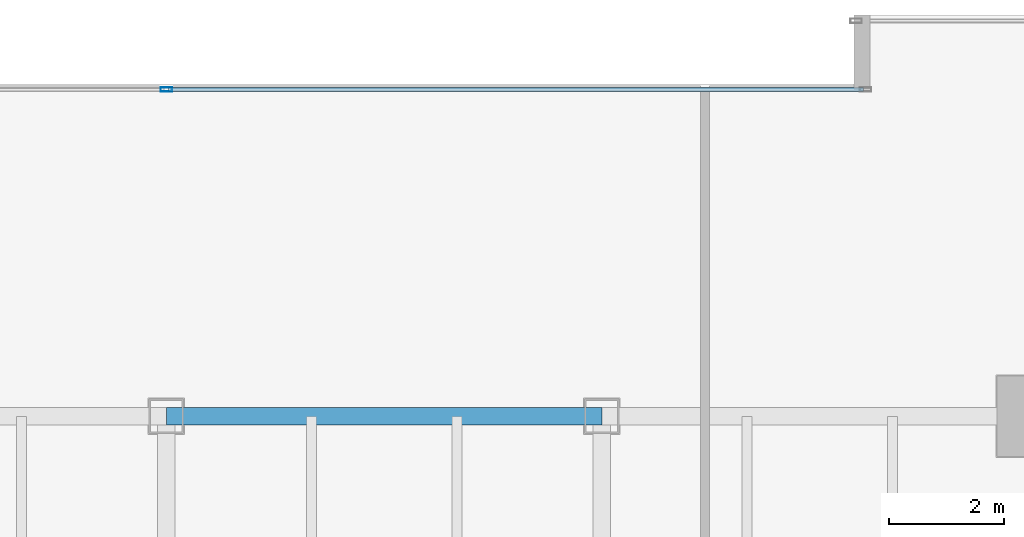
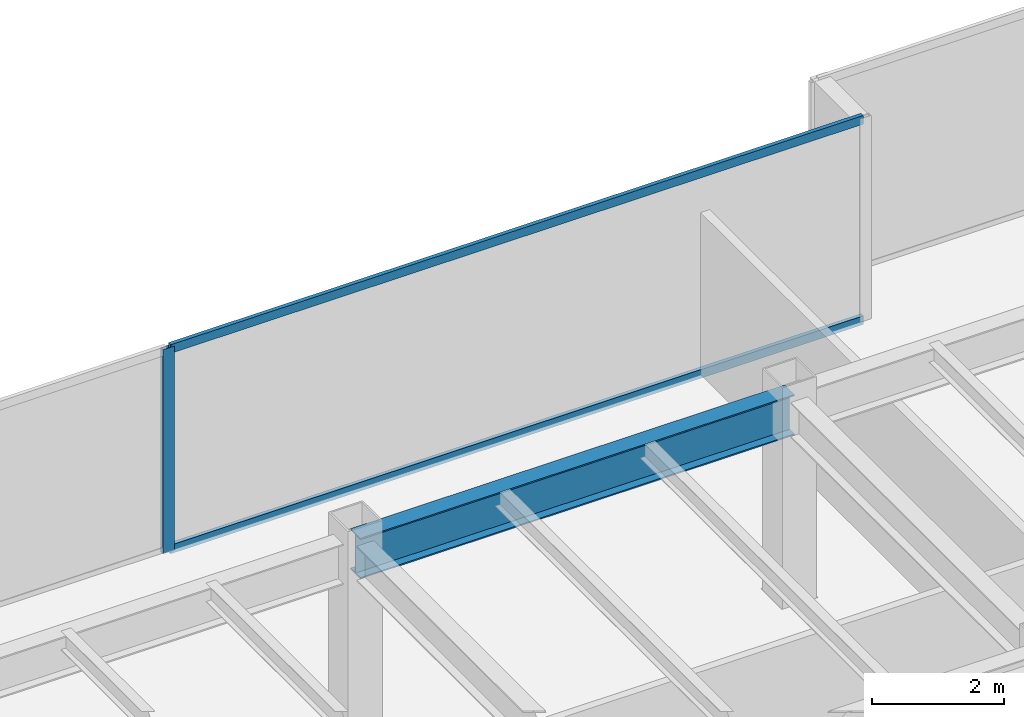
# One storey, part 18 of 37: 3 members, 1 beam, 1 element without a shape of its own.
"""IFC4 building model written with IfcOpenShell, lengths in metres."""

from ifc_helpers import new_model, si_unit, direction, frame, origin, origin_2d, place, context, subcontext, project, spatial, hollow_rectangle, i_section, extrude, source, transform, mapped, material, layer, layer_set, material_profile, profile_set, type_object, type_shapes, element, aggregate, save


model = new_model("IFC4")

# Units and contexts
model_context = context("Model", 3, precision=1e-05, world=origin(), true_north=direction((0.0, 1.0)))
body_context = subcontext(model_context, "Body", "Model", "MODEL_VIEW")
ifc_project = project(units=[si_unit("LENGTHUNIT", "METRE"), si_unit("AREAUNIT", "SQUARE_METRE"), si_unit("VOLUMEUNIT", "CUBIC_METRE"), si_unit("PLANEANGLEUNIT", "RADIAN"), si_unit("MASSUNIT", "GRAM", prefix="KILO")], contexts=[model_context])

# Site, building, storey
site_placement = place(None, origin())
site = spatial("IfcSite", under=ifc_project, at=site_placement, CompositionType="ELEMENT")
building_placement = place(site_placement, origin())
building = spatial("IfcBuilding", under=site, at=building_placement, Name="Haelvirn Gate Laboratories", CompositionType="ELEMENT")
storey_placement = place(building_placement, frame((0.0, 0.0, 78.5)))
storey = spatial("IfcBuildingStorey", under=building, at=storey_placement, Name="L19", CompositionType="ELEMENT", Elevation=78.5)

# Beam
ifc_material_1 = material(Name="Steel SM355", Category="steel")
ifc_material_profile_1 = material_profile(ifc_material_1, i_section(OverallWidth=0.300048828125, OverallDepth=0.75, WebThickness=0.013916015625, FlangeThickness=0.02392578125, at=origin_2d()), Name="H-750x300x14x24")
ifc_profile_set_1 = profile_set([ifc_material_profile_1], Name="Steel SM355")
beam_type = type_object("IfcBeamType", Name="BM-G-750", PredefinedType="BEAM", material=ifc_profile_set_1)
shared_shape_1 = source(origin(), body_context, "Body", "SweptSolid", [
    extrude(i_section(OverallWidth=0.300048828125, OverallDepth=0.75, WebThickness=0.013916015625, FlangeThickness=0.02392578125, at=origin_2d()), origin(), (0.0, 0.0, 1.0), 7.60009765625),
])
type_shapes(beam_type, [shared_shape_1])
beam_placement = place(storey_placement, frame((37.39990234375, 41.60009765625, 3.405029296875), z_axis=(1.0, 0.0, 0.0), x_axis=(0.0, 1.0, 0.0)))
element("IfcBeam", 1, at=beam_placement, inside=storey, type_object=beam_type, Name="L19 Primary Girder Y41.6 (37.4-45.0)", PredefinedType="BEAM", context=body_context, shape_type="MappedRepresentation", body=[
    mapped(shared_shape_1, transform((0.0, 0.0, 0.0), scale=1.0)),
])

# Curtain wall, members
ifc_material_2 = material(Name="Anodised bronze unitised aluminium & triple low-E glass", Category="aluminium")
ifc_layer = layer(ifc_material_2, 0.18408203125, Name="CW-SYS-2")
ifc_layer_set = layer_set([ifc_layer], Name="Anodised bronze unitised aluminium & triple low-E glass")
curtain_wall_type = type_object("IfcCurtainWallType", Name="CW-SYS-2", PredefinedType="NOTDEFINED", material=ifc_layer_set)
curtain_wall_placement = place(storey_placement, origin())
curtain_wall = element("IfcCurtainWall", 2, at=curtain_wall_placement, inside=storey, type_object=curtain_wall_type, Name="L19 Unitised Curtain Wall CW-L19-P0-E12-1", PredefinedType="NOTDEFINED")
ifc_material_3 = material(Name="Extruded aluminium 6063-T6 (anodised bronze)", Category="aluminium")
ifc_material_profile_2 = material_profile(ifc_material_3, hollow_rectangle(XDim=0.074951171875, YDim=0.199951171875, WallThickness=0.0048828125, at=origin_2d()), Name="CWM-200x75x5")
ifc_profile_set_2 = profile_set([ifc_material_profile_2], Name="Extruded aluminium 6063-T6 (anodised bronze)")
member_type_1 = type_object("IfcMemberType", Name="CWM-T200", PredefinedType="MULLION", material=ifc_profile_set_2)
shared_shape_2 = source(origin(), body_context, "Body", "SweptSolid", [
    extrude(hollow_rectangle(XDim=0.074951171875, YDim=0.199951171875, WallThickness=0.0048828125, at=origin_2d()), origin(), (0.0, 0.0, 1.0), 3.780029296875),
])
type_shapes(member_type_1, [shared_shape_2])
member_1_placement = place(storey_placement, frame((37.39990234375, 47.300048828125, 0.0), z_axis=(0.0, 0.0, 1.0), x_axis=(0.0, 1.0, 0.0)))
member_1 = element("IfcMember", 3, at=member_1_placement, type_object=member_type_1, Name="CW2 mullion 2", PredefinedType="MULLION", context=body_context, shape_type="MappedRepresentation", body=[
    mapped(shared_shape_2, transform((0.0, 0.0, 0.0), scale=1.0)),
])
ifc_material_profile_3 = material_profile(ifc_material_3, hollow_rectangle(XDim=0.070068359375, YDim=0.159912109375, WallThickness=0.0048828125, at=origin_2d()), Name="CWT-160x70x5")
ifc_profile_set_3 = profile_set([ifc_material_profile_3], Name="Extruded aluminium 6063-T6 (anodised bronze)")
member_type_2 = type_object("IfcMemberType", Name="CWT-T160", PredefinedType="USERDEFINED", material=ifc_profile_set_3)
shared_shape_3 = source(origin(), body_context, "Body", "SweptSolid", [
    extrude(hollow_rectangle(XDim=0.070068359375, YDim=0.159912109375, WallThickness=0.0048828125, at=origin_2d()), origin(), (0.0, 0.0, 1.0), 12.12744140625),
])
type_shapes(member_type_2, [shared_shape_3])
member_2_placement = place(storey_placement, frame((37.4375, 47.300048828125, 0.034912109375), z_axis=(1.0, 0.0, 0.0), x_axis=(0.0, 1.0, 0.0)))
member_2 = element("IfcMember", 4, at=member_2_placement, type_object=member_type_2, Name="CW2 transom 2.1", ObjectType="TRANSOM", PredefinedType="USERDEFINED", context=body_context, shape_type="MappedRepresentation", body=[
    mapped(shared_shape_3, transform((0.0, 0.0, 0.0), scale=1.0)),
])
member_3_placement = place(storey_placement, frame((37.4375, 47.300048828125, 3.7451171875), z_axis=(1.0, 0.0, 0.0), x_axis=(0.0, 1.0, 0.0)))
member_3 = element("IfcMember", 5, at=member_3_placement, type_object=member_type_2, Name="CW2 transom 2.2", ObjectType="TRANSOM", PredefinedType="USERDEFINED", context=body_context, shape_type="MappedRepresentation", body=[
    mapped(shared_shape_3, transform((0.0, 0.0, 0.0), scale=1.0)),
])
aggregate(curtain_wall, [member_1, member_2, member_3])

save(model, "model.ifc")
